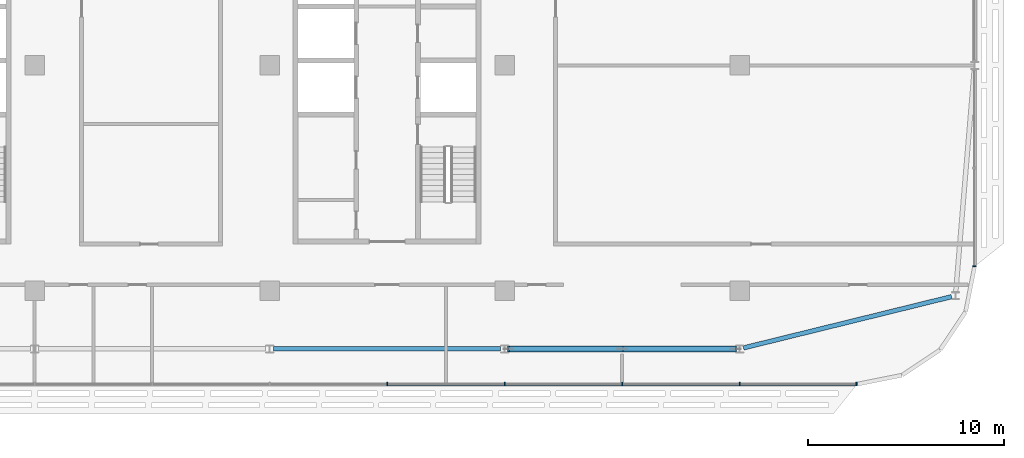
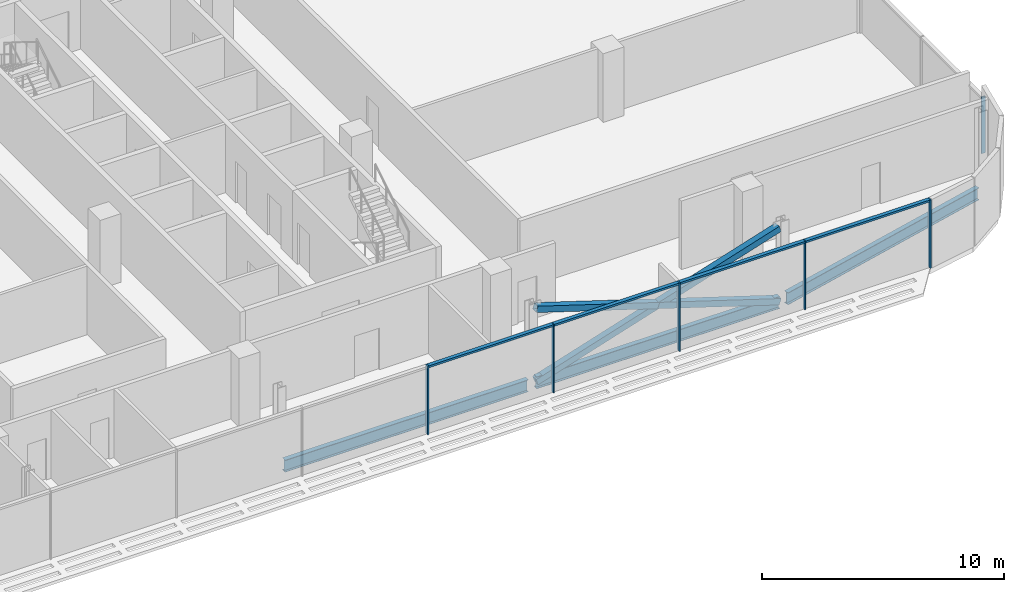
# One storey, part 12 of 32: 13 members, 3 beams, 2 elements without a shape of their own.
"""IFC4 building model written with IfcOpenShell, lengths in metres."""

from ifc_helpers import new_model, si_unit, direction, frame, origin, origin_2d, place, context, subcontext, project, spatial, rectangle, hollow_rectangle, i_section, extrude, material, material_profile, profile_set, type_object, element, aggregate, save


model = new_model("IFC4")

# Units and contexts
model_context = context("Model", 3, precision=1e-05, world=origin(), true_north=direction((0.0, 1.0)))
body_context = subcontext(model_context, "Body", "Model", "MODEL_VIEW")
ifc_project = project(units=[si_unit("LENGTHUNIT", "METRE"), si_unit("AREAUNIT", "SQUARE_METRE"), si_unit("VOLUMEUNIT", "CUBIC_METRE"), si_unit("PLANEANGLEUNIT", "RADIAN"), si_unit("MASSUNIT", "GRAM", prefix="KILO")], contexts=[model_context])

# Site, building, storey
site_placement = place(None, origin())
site = spatial("IfcSite", under=ifc_project, at=site_placement, CompositionType="ELEMENT")
building_placement = place(site_placement, origin())
building = spatial("IfcBuilding", under=site, at=building_placement, Name="Mahtab Terrace Research Tower", CompositionType="ELEMENT")
storey_placement = place(building_placement, frame((0.0, 0.0, 236.199951171875)))
storey = spatial("IfcBuildingStorey", under=building, at=storey_placement, Name="L57", CompositionType="ELEMENT", Elevation=236.199951171875)

# Members
ifc_material_1 = material(Name="Steel ASTM A500 Gr C", Category="steel")
ifc_material_profile_1 = material_profile(ifc_material_1, hollow_rectangle(XDim=0.3046875, YDim=0.3046875, WallThickness=0.015869140625, at=origin_2d()), Name="HSS12X12X5/8")
ifc_profile_set_1 = profile_set([ifc_material_profile_1], Name="Steel ASTM A500 Gr C")
member_type_1 = type_object("IfcMemberType", Name="HSS 12x12x5/8 brace XB121258", PredefinedType="BRACE", material=ifc_profile_set_1)
member_1_placement = place(storey_placement, frame((30.199462890625, -14.472900390625, -0.580322265625), z_axis=(0.953344342533, 0.0, 0.301885018774), x_axis=(0.0, 1.0, 0.0)))
element("IfcMember", 1, at=member_1_placement, inside=storey, type_object=member_type_1, Name="Exoskeleton brace L57 18 a", PredefinedType="BRACE", context=body_context, shape_type="SweptSolid", body=[
    extrude(hollow_rectangle(XDim=0.3046875, YDim=0.3046875, WallThickness=0.015869140625, at=origin_2d()), origin(), (0.0, 0.0, 1.0), 12.168701171875),
])
for number, where, z_axis, x_axis, name in (
    (2, (41.800537109375, -14.472900390625, -0.580322265625), (-0.953338568311, 0.0, 0.301903252998), (0.0, -1.0, 0.0), "Exoskeleton brace L57 18 b1"),
    (3, (36.0, -14.472900390625, 1.256591796875), (-0.953350116476, 0.0, 0.301866784219), (0.0, -1.0, 0.0), "Exoskeleton brace L57 18 b2"),
):
    element("IfcMember", number, at=place(storey_placement, frame(where, z_axis=z_axis, x_axis=x_axis)), inside=storey, type_object=member_type_1, Name=name, PredefinedType="BRACE", context=body_context, shape_type="SweptSolid", body=[
        extrude(hollow_rectangle(XDim=0.3046875, YDim=0.3046875, WallThickness=0.015869140625, at=origin_2d()), origin(), (0.0, 0.0, 1.0), 6.08447265625),
    ])

# Curtain wall, members
ifc_material_2 = material(Name="Office ribbon curtain wall")
curtain_wall_type = type_object("IfcCurtainWallType", Name="Office ribbon curtain wall", PredefinedType="NOTDEFINED", material=ifc_material_2)
curtain_wall_1_placement = place(storey_placement, origin())
curtain_wall_1 = element("IfcCurtainWall", 4, at=curtain_wall_1_placement, inside=storey, type_object=curtain_wall_type, Name="EN.L57.13.16", PredefinedType="NOTDEFINED")
ifc_material_3 = material(Name="Natural anodised aluminium", Category="aluminium")
ifc_material_profile_2 = material_profile(ifc_material_3, rectangle(XDim=0.179931640625, YDim=0.06005859375, at=origin_2d()), Name="MULLION 60x180")
ifc_profile_set_2 = profile_set([ifc_material_profile_2], Name="Natural anodised aluminium")
member_type_2 = type_object("IfcMemberType", Name="Office ribbon curtain wall mullion", PredefinedType="MULLION", material=ifc_profile_set_2)
member_2_placement = place(storey_placement, frame((24.0, -16.278076171875, 0.0), z_axis=(0.0, 0.0, 1.0), x_axis=(0.0, 1.0, 0.0)))
member_2 = element("IfcMember", 5, at=member_2_placement, type_object=member_type_2, Name="CWO-7 mullion 11", PredefinedType="MULLION", context=body_context, shape_type="SweptSolid", body=[
    extrude(rectangle(XDim=0.179931640625, YDim=0.06005859375, at=origin_2d()), origin(), (0.0, 0.0, 1.0), 3.4599609375),
])
member_3_placement = place(storey_placement, frame((30.0, -16.278076171875, 0.0), z_axis=(0.0, 0.0, 1.0), x_axis=(0.0, 1.0, 0.0)))
member_3 = element("IfcMember", 6, at=member_3_placement, type_object=member_type_2, Name="CWO-7 mullion 12", PredefinedType="MULLION", context=body_context, shape_type="SweptSolid", body=[
    extrude(rectangle(XDim=0.179931640625, YDim=0.06005859375, at=origin_2d()), origin(), (0.0, 0.0, 1.0), 3.4599609375),
])
member_4_placement = place(storey_placement, frame((36.0, -16.278076171875, 0.0), z_axis=(0.0, 0.0, 1.0), x_axis=(0.0, 1.0, 0.0)))
member_4 = element("IfcMember", 7, at=member_4_placement, type_object=member_type_2, Name="CWO-7 mullion 13", PredefinedType="MULLION", context=body_context, shape_type="SweptSolid", body=[
    extrude(rectangle(XDim=0.179931640625, YDim=0.06005859375, at=origin_2d()), origin(), (0.0, 0.0, 1.0), 3.4599609375),
])
member_5_placement = place(storey_placement, frame((42.0, -16.278076171875, 0.0), z_axis=(0.0, 0.0, 1.0), x_axis=(0.0, 1.0, 0.0)))
member_5 = element("IfcMember", 8, at=member_5_placement, type_object=member_type_2, Name="CWO-7 mullion 14", PredefinedType="MULLION", context=body_context, shape_type="SweptSolid", body=[
    extrude(rectangle(XDim=0.179931640625, YDim=0.06005859375, at=origin_2d()), origin(), (0.0, 0.0, 1.0), 3.4599609375),
])
member_6_placement = place(storey_placement, frame((47.969970703125, -16.278076171875, 0.0), z_axis=(0.0, 0.0, 1.0), x_axis=(0.0, 1.0, 0.0)))
member_6 = element("IfcMember", 9, at=member_6_placement, type_object=member_type_2, Name="CWO-7 mullion 15", PredefinedType="MULLION", context=body_context, shape_type="SweptSolid", body=[
    extrude(rectangle(XDim=0.179931640625, YDim=0.06005859375, at=origin_2d()), origin(), (0.0, 0.0, 1.0), 3.4599609375),
])

# Curtain wall, member
curtain_wall_2_placement = place(storey_placement, origin())
curtain_wall_2 = element("IfcCurtainWall", 10, at=curtain_wall_2_placement, inside=storey, type_object=curtain_wall_type, Name="EN.L57.18.21", PredefinedType="NOTDEFINED")
member_7_placement = place(storey_placement, frame((54.0, -10.248046875, 0.0), z_axis=(0.0, 0.0, 1.0), x_axis=(-1.0, 0.0, 0.0)))
member_7 = element("IfcMember", 11, at=member_7_placement, type_object=member_type_2, Name="CWO-7 mullion 1", PredefinedType="MULLION", context=body_context, shape_type="SweptSolid", body=[
    extrude(rectangle(XDim=0.179931640625, YDim=0.06005859375, at=origin_2d()), origin(), (0.0, 0.0, 1.0), 2.85302734375),
])
aggregate(curtain_wall_2, [member_7])

# Member
ifc_material_profile_3 = material_profile(ifc_material_3, rectangle(XDim=0.179931640625, YDim=0.10009765625, at=origin_2d()), Name="TRANSOM 100x180")
ifc_profile_set_3 = profile_set([ifc_material_profile_3], Name="Natural anodised aluminium")
member_type_3 = type_object("IfcMemberType", Name="Office ribbon curtain wall transom", PredefinedType="USERDEFINED", material=ifc_profile_set_3)
member_8_placement = place(storey_placement, frame((24.030029296875, -16.278076171875, 3.41015625), z_axis=(1.0, 0.0, 0.0), x_axis=(0.0, 1.0, 0.0)))
member_8 = element("IfcMember", 12, at=member_8_placement, type_object=member_type_3, Name="CWO-7 transom 11", ObjectType="TRANSOM", PredefinedType="USERDEFINED", context=body_context, shape_type="SweptSolid", body=[
    extrude(rectangle(XDim=0.179931640625, YDim=0.10009765625, at=origin_2d()), origin(), (0.0, 0.0, 1.0), 5.93994140625),
])

member_9_placement = place(storey_placement, frame((30.030029296875, -16.278076171875, 3.41015625), z_axis=(1.0, 0.0, 0.0), x_axis=(0.0, 1.0, 0.0)))
member_9 = element("IfcMember", 13, at=member_9_placement, type_object=member_type_3, Name="CWO-7 transom 12", ObjectType="TRANSOM", PredefinedType="USERDEFINED", context=body_context, shape_type="SweptSolid", body=[
    extrude(rectangle(XDim=0.179931640625, YDim=0.10009765625, at=origin_2d()), origin(), (0.0, 0.0, 1.0), 5.93994140625),
])

member_10_placement = place(storey_placement, frame((36.030029296875, -16.278076171875, 3.41015625), z_axis=(1.0, 0.0, 0.0), x_axis=(0.0, 1.0, 0.0)))
member_10 = element("IfcMember", 14, at=member_10_placement, type_object=member_type_3, Name="CWO-7 transom 13", ObjectType="TRANSOM", PredefinedType="USERDEFINED", context=body_context, shape_type="SweptSolid", body=[
    extrude(rectangle(XDim=0.179931640625, YDim=0.10009765625, at=origin_2d()), origin(), (0.0, 0.0, 1.0), 5.93994140625),
])

member_11_placement = place(storey_placement, frame((42.030029296875, -16.278076171875, 3.41015625), z_axis=(1.0, 0.0, 0.0), x_axis=(0.0, 1.0, 0.0)))
member_11 = element("IfcMember", 15, at=member_11_placement, type_object=member_type_3, Name="CWO-7 transom 14", ObjectType="TRANSOM", PredefinedType="USERDEFINED", context=body_context, shape_type="SweptSolid", body=[
    extrude(rectangle(XDim=0.179931640625, YDim=0.10009765625, at=origin_2d()), origin(), (0.0, 0.0, 1.0), 5.909912109375),
])

aggregate(curtain_wall_1, [member_2, member_3, member_4, member_5, member_6, member_8, member_9, member_10, member_11])

# Beams
ifc_material_4 = material(Name="Steel ASTM A992 Gr 50", Category="steel")
ifc_material_profile_4 = material_profile(ifc_material_4, i_section(OverallWidth=0.228271484375, OverallDepth=0.607177734375, WebThickness=0.01123046875, FlangeThickness=0.017333984375, at=origin_2d()), Name="W24X76")
ifc_profile_set_4 = profile_set([ifc_material_profile_4], Name="Steel ASTM A992 Gr 50")
beam_type = type_object("IfcBeamType", Name="W24x76 beam BS2476", PredefinedType="BEAM", material=ifc_profile_set_4)
for number, where, z_axis, x_axis, name in (
    (16, (18.199462890625, -14.472900390625, -0.6435546875), (1.0, 0.0, 0.0), (0.0, 1.0, 0.0), "Spandrel beam L57 17"),
    (17, (30.199462890625, -14.472900390625, -0.6435546875), (1.0, 0.0, 0.0), (0.0, 1.0, 0.0), "Spandrel beam L57 18"),
):
    element("IfcBeam", number, at=place(storey_placement, frame(where, z_axis=z_axis, x_axis=x_axis)), inside=storey, type_object=beam_type, Name=name, PredefinedType="BEAM", context=body_context, shape_type="SweptSolid", body=[
        extrude(i_section(OverallWidth=0.228271484375, OverallDepth=0.607177734375, WebThickness=0.01123046875, FlangeThickness=0.017333984375, at=origin_2d()), origin(), (0.0, 0.0, 1.0), 11.60107421875),
    ])
beam_placement = place(storey_placement, frame((42.199462890625, -14.423828125, -0.6435546875), z_axis=(0.970971673225, 0.239194502014, 0.0), x_axis=(-0.239194502014, 0.970971673225, 0.0)))
element("IfcBeam", 18, at=beam_placement, inside=storey, type_object=beam_type, Name="Spandrel beam L57 19", PredefinedType="BEAM", context=body_context, shape_type="SweptSolid", body=[
    extrude(i_section(OverallWidth=0.228271484375, OverallDepth=0.607177734375, WebThickness=0.01123046875, FlangeThickness=0.017333984375, at=origin_2d()), origin(), (0.0, 0.0, 1.0), 10.939697265625),
])

save(model, "model.ifc")
